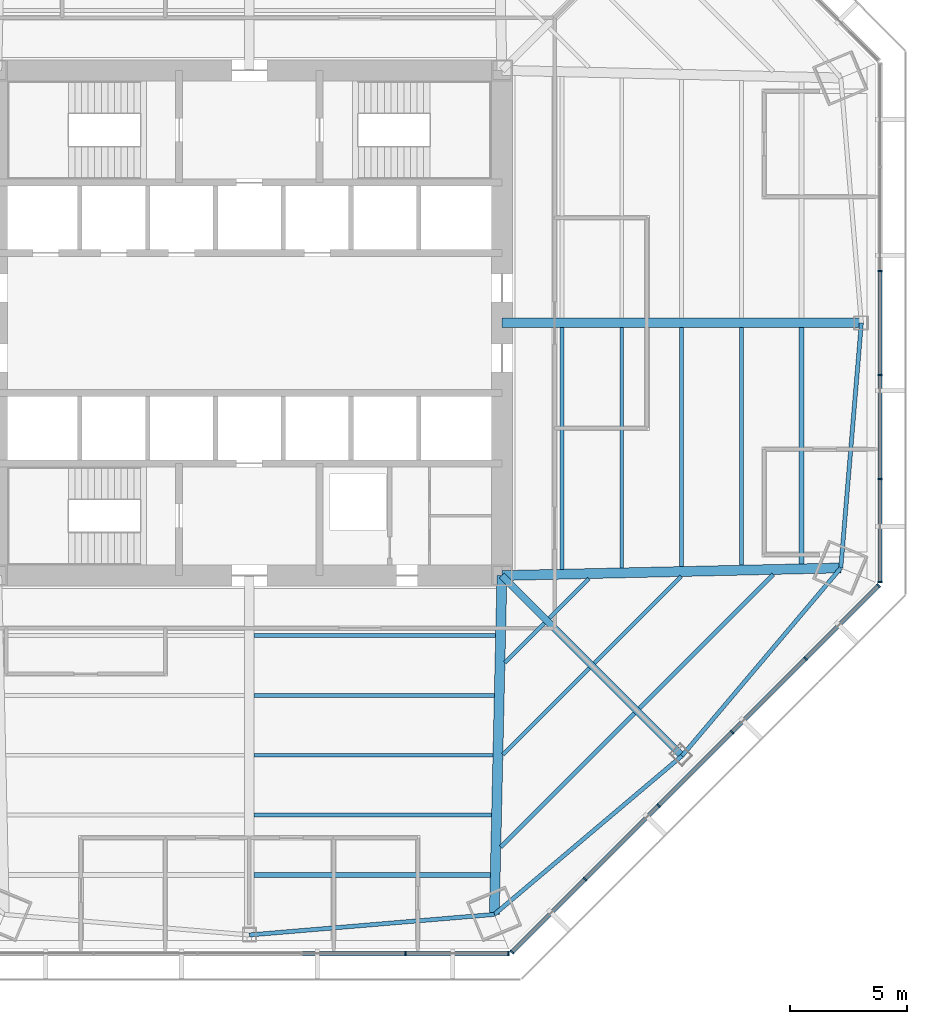
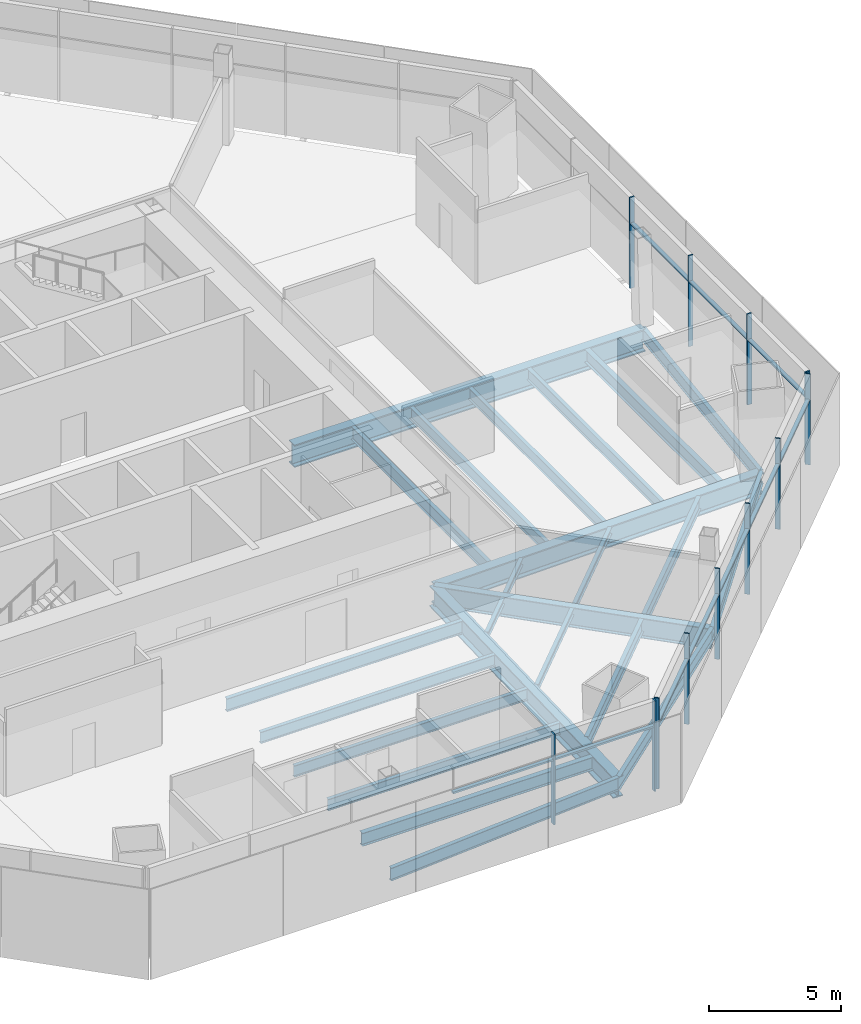
# One storey, part 4 of 15: 24 beams, 22 members, 3 elements without a shape of their own.
"""IFC4 building model written with IfcOpenShell, lengths in metres."""

from ifc_helpers import new_model, si_unit, direction, frame, origin, origin_2d, place, context, subcontext, project, spatial, rectangle, i_section, extrude, source, transform, mapped, material, material_profile, profile_set, type_object, type_shapes, element, aggregate, save


model = new_model("IFC4")

# Units and contexts
model_context = context("Model", 3, precision=1e-05, world=origin(), true_north=direction((0.0, 1.0)))
body_context = subcontext(model_context, "Body", "Model", "MODEL_VIEW")
ifc_project = project(units=[si_unit("LENGTHUNIT", "METRE"), si_unit("AREAUNIT", "SQUARE_METRE"), si_unit("VOLUMEUNIT", "CUBIC_METRE"), si_unit("PLANEANGLEUNIT", "RADIAN"), si_unit("MASSUNIT", "GRAM", prefix="KILO")], contexts=[model_context])

# Site, building, storey
site_placement = place(None, origin())
site = spatial("IfcSite", under=ifc_project, at=site_placement, CompositionType="ELEMENT")
building_placement = place(site_placement, origin())
building = spatial("IfcBuilding", under=site, at=building_placement, Name="Mashrafa Tower", CompositionType="ELEMENT")
storey_placement = place(building_placement, frame((0.0, 0.0, 37.199951171875)))
storey = spatial("IfcBuildingStorey", under=building, at=storey_placement, Name="L07", CompositionType="ELEMENT", Elevation=37.199951171875)

# Beams
ifc_material_1 = material(Name="Steel ASTM A992", Category="steel")
ifc_material_profile_1 = material_profile(ifc_material_1, i_section(OverallWidth=0.164794921875, OverallDepth=0.309814453125, WebThickness=0.005859375, FlangeThickness=0.009765625, FilletRadius=0.007568359375, at=origin_2d()), Name="W12X26")
ifc_profile_set_1 = profile_set([ifc_material_profile_1], Name="Steel ASTM A992")
beam_type_1 = type_object("IfcBeamType", Name="Beam W12X26", PredefinedType="BEAM", material=ifc_profile_set_1)
beam_1_placement = place(storey_placement, frame((12.616943359375, -12.83447265625, -0.31982421875), z_axis=(-0.707106781187, -0.707106781187, 0.0), x_axis=(0.707106781187, -0.707106781187, 0.0)))
element("IfcBeam", 1, at=beam_1_placement, inside=storey, type_object=beam_type_1, Name="Floor beam L07 046", PredefinedType="BEAM", context=body_context, shape_type="SweptSolid", body=[
    extrude(i_section(OverallWidth=0.164794921875, OverallDepth=0.309814453125, WebThickness=0.005859375, FlangeThickness=0.009765625, FilletRadius=0.007568359375, at=origin_2d()), origin(), (0.0, 0.0, 1.0), 2.387451171875),
])
beam_2_placement = place(storey_placement, frame((14.542724609375, -14.76025390625, -0.31982421875), z_axis=(-0.707106781187, -0.707106781187, 0.0), x_axis=(0.707106781187, -0.707106781187, 0.0)))
element("IfcBeam", 2, at=beam_2_placement, inside=storey, type_object=beam_type_1, Name="Floor beam L07 050", PredefinedType="BEAM", context=body_context, shape_type="SweptSolid", body=[
    extrude(i_section(OverallWidth=0.164794921875, OverallDepth=0.309814453125, WebThickness=0.005859375, FlangeThickness=0.009765625, FilletRadius=0.007568359375, at=origin_2d()), origin(), (0.0, 0.0, 1.0), 5.236083984375),
])
beam_3_placement = place(storey_placement, frame((14.522705078125, -10.9287109375, -0.31982421875), z_axis=(-0.707106781187, -0.707106781187, 0.0), x_axis=(0.707106781187, -0.707106781187, 0.0)))
element("IfcBeam", 3, at=beam_3_placement, inside=storey, type_object=beam_type_1, Name="Floor beam L07 052", PredefinedType="BEAM", context=body_context, shape_type="SweptSolid", body=[
    extrude(i_section(OverallWidth=0.164794921875, OverallDepth=0.309814453125, WebThickness=0.005859375, FlangeThickness=0.009765625, FilletRadius=0.007568359375, at=origin_2d()), origin(), (0.0, 0.0, 1.0), 2.387451171875),
])
beam_4_placement = place(storey_placement, frame((18.462646484375, -10.84033203125, -0.31982421875), z_axis=(-0.707106781187, -0.707106781187, 0.0), x_axis=(0.707106781187, -0.707106781187, 0.0)))
element("IfcBeam", 4, at=beam_4_placement, inside=storey, type_object=beam_type_1, Name="Floor beam L07 059", PredefinedType="BEAM", context=body_context, shape_type="SweptSolid", body=[
    extrude(i_section(OverallWidth=0.164794921875, OverallDepth=0.309814453125, WebThickness=0.005859375, FlangeThickness=0.009765625, FilletRadius=0.007568359375, at=origin_2d()), origin(), (0.0, 0.0, 1.0), 5.236083984375),
])
ifc_material_2 = material(Name="Steel ASTM A992", Category="steel")
ifc_material_profile_2 = material_profile(ifc_material_2, i_section(OverallWidth=0.165771484375, OverallDepth=0.5283203125, WebThickness=0.009765625, FlangeThickness=0.013671875, FilletRadius=0.012939453125, at=origin_2d()), Name="W21X50")
ifc_profile_set_2 = profile_set([ifc_material_profile_2], Name="Steel ASTM A992")
beam_type_2 = type_object("IfcBeamType", Name="Beam W21X50", PredefinedType="BEAM", material=ifc_profile_set_2)
beam_5_placement = place(storey_placement, frame((10.358154296875, -21.044677734375, -0.42919921875), z_axis=(-1.0, 0.0, 0.0), x_axis=(0.0, -1.0, 0.0)))
element("IfcBeam", 5, at=beam_5_placement, inside=storey, type_object=beam_type_2, Name="Floor beam L07 040", PredefinedType="BEAM", context=body_context, shape_type="SweptSolid", body=[
    extrude(i_section(OverallWidth=0.165771484375, OverallDepth=0.5283203125, WebThickness=0.009765625, FlangeThickness=0.013671875, FilletRadius=0.012939453125, at=origin_2d()), origin(), (0.0, 0.0, 1.0), 10.153564453125),
])
beam_6_placement = place(storey_placement, frame((10.41552734375, -18.4833984375, -0.42919921875), z_axis=(-1.0, 0.0, 0.0), x_axis=(0.0, -1.0, 0.0)))
element("IfcBeam", 6, at=beam_6_placement, inside=storey, type_object=beam_type_2, Name="Floor beam L07 042", PredefinedType="BEAM", context=body_context, shape_type="SweptSolid", body=[
    extrude(i_section(OverallWidth=0.165771484375, OverallDepth=0.5283203125, WebThickness=0.009765625, FlangeThickness=0.013671875, FilletRadius=0.012939453125, at=origin_2d()), origin(), (0.0, 0.0, 1.0), 10.2109375),
])
for number, where, z_axis, x_axis, name in (
    (7, (10.472900390625, -15.92236328125, -0.42919921875), (-1.0, 0.0, 0.0), (0.0, -1.0, 0.0), "Floor beam L07 043"),
    (8, (15.92236328125, -0.20458984375, -0.42919921875), (0.0, -1.0, 0.0), (1.0, 0.0, 0.0), "Floor beam L07 053"),
):
    element("IfcBeam", number, at=place(storey_placement, frame(where, z_axis=z_axis, x_axis=x_axis)), inside=storey, type_object=beam_type_2, Name=name, PredefinedType="BEAM", context=body_context, shape_type="SweptSolid", body=[
        extrude(i_section(OverallWidth=0.165771484375, OverallDepth=0.5283203125, WebThickness=0.009765625, FlangeThickness=0.013671875, FilletRadius=0.012939453125, at=origin_2d()), origin(), (0.0, 0.0, 1.0), 10.268310546875),
    ])
beam_7_placement = place(storey_placement, frame((18.4833984375, -0.20458984375, -0.42919921875), z_axis=(0.0, -1.0, 0.0), x_axis=(1.0, 0.0, 0.0)))
element("IfcBeam", 9, at=beam_7_placement, inside=storey, type_object=beam_type_2, Name="Floor beam L07 057", PredefinedType="BEAM", context=body_context, shape_type="SweptSolid", body=[
    extrude(i_section(OverallWidth=0.165771484375, OverallDepth=0.5283203125, WebThickness=0.009765625, FlangeThickness=0.013671875, FilletRadius=0.012939453125, at=origin_2d()), origin(), (0.0, 0.0, 1.0), 10.2109375),
])
beam_8_placement = place(storey_placement, frame((21.044677734375, -0.20458984375, -0.42919921875), z_axis=(0.0, -1.0, 0.0), x_axis=(1.0, 0.0, 0.0)))
element("IfcBeam", 10, at=beam_8_placement, inside=storey, type_object=beam_type_2, Name="Floor beam L07 060", PredefinedType="BEAM", context=body_context, shape_type="SweptSolid", body=[
    extrude(i_section(OverallWidth=0.165771484375, OverallDepth=0.5283203125, WebThickness=0.009765625, FlangeThickness=0.013671875, FilletRadius=0.012939453125, at=origin_2d()), origin(), (0.0, 0.0, 1.0), 10.153564453125),
])
ifc_material_3 = material(Name="Steel ASTM A992", Category="steel")
ifc_material_profile_3 = material_profile(ifc_material_3, i_section(OverallWidth=0.177978515625, OverallDepth=0.599365234375, WebThickness=0.010009765625, FlangeThickness=0.012939453125, FilletRadius=0.012939453125, at=origin_2d()), Name="W24X55")
ifc_profile_set_3 = profile_set([ifc_material_profile_3], Name="Steel ASTM A992")
beam_type_3 = type_object("IfcBeamType", Name="Beam W24X55", PredefinedType="BEAM", material=ifc_profile_set_3)
for number, where, z_axis, x_axis, name in (
    (11, (10.530517578125, -13.361083984375, -0.464599609375), (-1.0, 0.0, 0.0), (0.0, -1.0, 0.0), "Floor beam L07 045"),
    (12, (13.361083984375, -0.20458984375, -0.464599609375), (0.0, -1.0, 0.0), (1.0, 0.0, 0.0), "Floor beam L07 048"),
):
    element("IfcBeam", number, at=place(storey_placement, frame(where, z_axis=z_axis, x_axis=x_axis)), inside=storey, type_object=beam_type_3, Name=name, PredefinedType="BEAM", context=body_context, shape_type="SweptSolid", body=[
        extrude(i_section(OverallWidth=0.177978515625, OverallDepth=0.599365234375, WebThickness=0.010009765625, FlangeThickness=0.012939453125, FilletRadius=0.012939453125, at=origin_2d()), origin(), (0.0, 0.0, 1.0), 10.325927734375),
    ])
for number, where, z_axis, x_axis, name in (
    (13, (16.468505859375, -16.685791015625, -0.464599609375), (-0.707091681908, -0.707121880143, 0.0), (0.707121880143, -0.707091681908, 0.0), "Floor beam L07 055"),
    (14, (22.402587890625, -10.751953125, -0.464599609375), (-0.707121880143, -0.707091681908, 0.0), (0.707091681908, -0.707121880143, 0.0), "Floor beam L07 062"),
):
    element("IfcBeam", number, at=place(storey_placement, frame(where, z_axis=z_axis, x_axis=x_axis)), inside=storey, type_object=beam_type_3, Name=name, PredefinedType="BEAM", context=body_context, shape_type="SweptSolid", body=[
        extrude(i_section(OverallWidth=0.177978515625, OverallDepth=0.599365234375, WebThickness=0.010009765625, FlangeThickness=0.012939453125, FilletRadius=0.012939453125, at=origin_2d()), origin(), (0.0, 0.0, 1.0), 8.084716796875),
    ])
beam_9_placement = place(storey_placement, frame((0.0, -26.1669921875, -0.464599609375), z_axis=(0.996504309861, 0.083541369565, 0.0), x_axis=(-0.083541369565, 0.996504309861, 0.0)))
element("IfcBeam", 15, at=beam_9_placement, inside=storey, type_object=beam_type_3, Name="Spandrel beam L07 088", PredefinedType="BEAM", context=body_context, shape_type="SweptSolid", body=[
    extrude(i_section(OverallWidth=0.177978515625, OverallDepth=0.599365234375, WebThickness=0.010009765625, FlangeThickness=0.012939453125, FilletRadius=0.012939453125, at=origin_2d()), origin(), (0.0, 0.0, 1.0), 10.511962890625),
])
for number, where, z_axis, x_axis, name in (
    (16, (10.47509765625, -25.288818359375, -0.464599609375), (0.763709508366, 0.645560056719, 0.0), (-0.645560056719, 0.763709508366, 0.0), "Spandrel beam L07 090"),
    (17, (18.5029296875, -18.5029296875, -0.464599609375), (0.645560056719, 0.763709508366, 0.0), (-0.763709508366, 0.645560056719, 0.0), "Spandrel beam L07 092"),
):
    element("IfcBeam", number, at=place(storey_placement, frame(where, z_axis=z_axis, x_axis=x_axis)), inside=storey, type_object=beam_type_3, Name=name, PredefinedType="BEAM", context=body_context, shape_type="SweptSolid", body=[
        extrude(i_section(OverallWidth=0.177978515625, OverallDepth=0.599365234375, WebThickness=0.010009765625, FlangeThickness=0.012939453125, FilletRadius=0.012939453125, at=origin_2d()), origin(), (0.0, 0.0, 1.0), 10.51171875),
    ])
beam_10_placement = place(storey_placement, frame((25.288818359375, -10.47509765625, -0.464599609375), z_axis=(0.083541369565, 0.996504309861, 0.0), x_axis=(-0.996504309861, 0.083541369565, 0.0)))
element("IfcBeam", 18, at=beam_10_placement, inside=storey, type_object=beam_type_3, Name="Spandrel beam L07 094", PredefinedType="BEAM", context=body_context, shape_type="SweptSolid", body=[
    extrude(i_section(OverallWidth=0.177978515625, OverallDepth=0.599365234375, WebThickness=0.010009765625, FlangeThickness=0.012939453125, FilletRadius=0.012939453125, at=origin_2d()), origin(), (0.0, 0.0, 1.0), 10.511962890625),
])
ifc_material_4 = material(Name="Steel ASTM A992", Category="steel")
ifc_material_profile_4 = material_profile(ifc_material_4, i_section(OverallWidth=0.227783203125, OverallDepth=0.60205078125, WebThickness=0.010498046875, FlangeThickness=0.014892578125, FilletRadius=0.012939453125, at=origin_2d()), Name="W24X68")
ifc_profile_set_4 = profile_set([ifc_material_profile_4], Name="Steel ASTM A992")
beam_type_4 = type_object("IfcBeamType", Name="Beam W24X68", PredefinedType="BEAM", material=ifc_profile_set_4)
for number, where, z_axis, x_axis, name in (
    (19, (10.30078125, -23.605712890625, -0.4658203125), (-1.0, 0.0, 0.0), (0.0, -1.0, 0.0), "Floor beam L07 038"),
    (20, (23.605712890625, -0.20458984375, -0.4658203125), (0.0, -1.0, 0.0), (1.0, 0.0, 0.0), "Floor beam L07 063"),
):
    element("IfcBeam", number, at=place(storey_placement, frame(where, z_axis=z_axis, x_axis=x_axis)), inside=storey, type_object=beam_type_4, Name=name, PredefinedType="BEAM", context=body_context, shape_type="SweptSolid", body=[
        extrude(i_section(OverallWidth=0.227783203125, OverallDepth=0.60205078125, WebThickness=0.010498046875, FlangeThickness=0.014892578125, FilletRadius=0.012939453125, at=origin_2d()), origin(), (0.0, 0.0, 1.0), 10.09619140625),
    ])
ifc_material_5 = material(Name="Steel ASTM A992", Category="steel")
ifc_material_profile_5 = material_profile(ifc_material_5, i_section(OverallWidth=0.307373046875, OverallDepth=0.927001953125, WebThickness=0.01953125, FlangeThickness=0.031982421875, FilletRadius=0.01904296875, at=origin_2d()), Name="W36X194")
ifc_profile_set_5 = profile_set([ifc_material_profile_5], Name="Steel ASTM A992")
beam_type_5 = type_object("IfcBeamType", Name="Beam W36X194", PredefinedType="BEAM", material=ifc_profile_set_5)
beam_11_placement = place(storey_placement, frame((10.800048828125, -10.800048828125, -0.62841796875), z_axis=(0.707106781187, -0.707106781187, 0.0), x_axis=(0.707106781187, 0.707106781187, 0.0)))
element("IfcBeam", 21, at=beam_11_placement, inside=storey, type_object=beam_type_5, Name="Radial girder L07 075", PredefinedType="BEAM", context=body_context, shape_type="SweptSolid", body=[
    extrude(i_section(OverallWidth=0.307373046875, OverallDepth=0.927001953125, WebThickness=0.01953125, FlangeThickness=0.031982421875, FilletRadius=0.01904296875, at=origin_2d()), origin(), (0.0, 0.0, 1.0), 10.8935546875),
])
ifc_material_6 = material(Name="Steel ASTM A992", Category="steel")
ifc_material_profile_6 = material_profile(ifc_material_6, i_section(OverallWidth=0.424072265625, OverallDepth=0.960205078125, WebThickness=0.028564453125, FlangeThickness=0.051025390625, FilletRadius=0.02001953125, at=origin_2d()), Name="W36X361")
ifc_profile_set_6 = profile_set([ifc_material_profile_6], Name="Steel ASTM A992")
beam_type_6 = type_object("IfcBeamType", Name="Beam W36X361", PredefinedType="BEAM", material=ifc_profile_set_6)
for number, where, z_axis, x_axis, name in (
    (22, (10.800048828125, -10.800048828125, -0.64501953125), (-0.022422157782, -0.999748591817, 0.0), (0.999748591817, -0.022422157782, 0.0), "Radial girder L07 074"),
    (23, (10.800048828125, -10.800048828125, -0.64501953125), (0.999748591817, 0.022422157782, 0.0), (-0.022422157782, 0.999748591817, 0.0), "Radial girder L07 076"),
):
    element("IfcBeam", number, at=place(storey_placement, frame(where, z_axis=z_axis, x_axis=x_axis)), inside=storey, type_object=beam_type_6, Name=name, PredefinedType="BEAM", context=body_context, shape_type="SweptSolid", body=[
        extrude(i_section(OverallWidth=0.424072265625, OverallDepth=0.960205078125, WebThickness=0.028564453125, FlangeThickness=0.051025390625, FilletRadius=0.02001953125, at=origin_2d()), origin(), (0.0, 0.0, 1.0), 14.492431640625),
    ])
ifc_material_7 = material(Name="Steel ASTM A992", Category="steel")
ifc_material_profile_7 = material_profile(ifc_material_7, i_section(OverallWidth=0.408935546875, OverallDepth=1.04150390625, WebThickness=0.031005859375, FlangeThickness=0.055908203125, FilletRadius=0.020263671875, at=origin_2d()), Name="W40X397")
ifc_profile_set_7 = profile_set([ifc_material_profile_7], Name="Steel ASTM A992")
beam_type_7 = type_object("IfcBeamType", Name="Beam W40X397", PredefinedType="BEAM", material=ifc_profile_set_7)
beam_12_placement = place(storey_placement, frame((10.800048828125, 0.0, -0.685546875), z_axis=(1.0, 0.0, 0.0), x_axis=(0.0, 1.0, 0.0)))
element("IfcBeam", 24, at=beam_12_placement, inside=storey, type_object=beam_type_7, Name="Radial girder L07 077", PredefinedType="BEAM", context=body_context, shape_type="SweptSolid", body=[
    extrude(i_section(OverallWidth=0.408935546875, OverallDepth=1.04150390625, WebThickness=0.031005859375, FlangeThickness=0.055908203125, FilletRadius=0.020263671875, at=origin_2d()), origin(), (0.0, 0.0, 1.0), 15.366943359375),
])

# Curtain wall, members
ifc_material_8 = material(Name="Unitised aluminium curtain wall", Category="aluminium")
curtain_wall_type = type_object("IfcCurtainWallType", Name="Office curtain wall, zone 1 CW-A 200 deep", PredefinedType="NOTDEFINED", material=ifc_material_8)
curtain_wall_1_placement = place(storey_placement, origin())
curtain_wall_1 = element("IfcCurtainWall", 25, at=curtain_wall_1_placement, inside=storey, type_object=curtain_wall_type, Name="Office curtain wall, zone 1 L07 east", PredefinedType="NOTDEFINED")
ifc_material_9 = material(Name="Extruded aluminium mullion", Category="aluminium")
ifc_material_profile_8 = material_profile(ifc_material_9, rectangle(XDim=0.199951171875, YDim=0.06494140625, at=origin_2d()), Name="Mullion 65x200")
ifc_profile_set_8 = profile_set([ifc_material_profile_8], Name="Extruded aluminium mullion")
member_type_1 = type_object("IfcMemberType", Name="Mullion CW-A 65 x 200", PredefinedType="MULLION", material=ifc_profile_set_8)
shared_shape_1 = source(origin(), body_context, "Body", "SweptSolid", [
    extrude(rectangle(XDim=0.199951171875, YDim=0.06494140625, at=origin_2d()), origin(), (0.0, 0.0, 1.0), 4.199951171875),
])
type_shapes(member_type_1, [shared_shape_1])
member_1_placement = place(storey_placement, frame((26.96240234375, -11.084228515625, 0.0), z_axis=(0.0, 0.0, 1.0), x_axis=(-1.0, 0.0, 0.0)))
member_1 = element("IfcMember", 26, at=member_1_placement, type_object=member_type_1, Name="CW-A mullion 1", PredefinedType="MULLION", context=body_context, shape_type="MappedRepresentation", body=[
    mapped(shared_shape_1, transform((0.0, 0.0, 0.0))),
])
member_2_placement = place(storey_placement, frame((26.96240234375, -6.670166015625, 0.0), z_axis=(0.0, 0.0, 1.0), x_axis=(-1.0, 0.0, 0.0)))
member_2 = element("IfcMember", 27, at=member_2_placement, type_object=member_type_1, Name="CW-A mullion 2", PredefinedType="MULLION", context=body_context, shape_type="MappedRepresentation", body=[
    mapped(shared_shape_1, transform((0.0, 0.0, 0.0))),
])
member_3_placement = place(storey_placement, frame((26.96240234375, -2.223388671875, 0.0), z_axis=(0.0, 0.0, 1.0), x_axis=(-1.0, 0.0, 0.0)))
member_3 = element("IfcMember", 28, at=member_3_placement, type_object=member_type_1, Name="CW-A mullion 3", PredefinedType="MULLION", context=body_context, shape_type="MappedRepresentation", body=[
    mapped(shared_shape_1, transform((0.0, 0.0, 0.0))),
])
member_4_placement = place(storey_placement, frame((26.96240234375, 2.223388671875, 0.0), z_axis=(0.0, 0.0, 1.0), x_axis=(-1.0, 0.0, 0.0)))
member_4 = element("IfcMember", 29, at=member_4_placement, type_object=member_type_1, Name="CW-A mullion 4", PredefinedType="MULLION", context=body_context, shape_type="MappedRepresentation", body=[
    mapped(shared_shape_1, transform((0.0, 0.0, 0.0))),
])

curtain_wall_2_placement = place(storey_placement, origin())
curtain_wall_2 = element("IfcCurtainWall", 30, at=curtain_wall_2_placement, inside=storey, type_object=curtain_wall_type, Name="Office curtain wall, zone 1 L07 south", PredefinedType="NOTDEFINED")
member_5_placement = place(storey_placement, frame((6.670166015625, -26.96240234375, 0.0), z_axis=(0.0, 0.0, 1.0), x_axis=(0.0, 1.0, 0.0)))
member_5 = element("IfcMember", 31, at=member_5_placement, type_object=member_type_1, Name="CW-A mullion 5", PredefinedType="MULLION", context=body_context, shape_type="MappedRepresentation", body=[
    mapped(shared_shape_1, transform((0.0, 0.0, 0.0))),
])
member_6_placement = place(storey_placement, frame((11.084228515625, -26.96240234375, 0.0), z_axis=(0.0, 0.0, 1.0), x_axis=(0.0, 1.0, 0.0)))
member_6 = element("IfcMember", 32, at=member_6_placement, type_object=member_type_1, Name="CW-A mullion 6", PredefinedType="MULLION", context=body_context, shape_type="MappedRepresentation", body=[
    mapped(shared_shape_1, transform((0.0, 0.0, 0.0))),
])

curtain_wall_3_placement = place(storey_placement, origin())
curtain_wall_3 = element("IfcCurtainWall", 33, at=curtain_wall_3_placement, inside=storey, type_object=curtain_wall_type, Name="Office curtain wall, zone 1 L07 south-east", PredefinedType="NOTDEFINED")
member_7_placement = place(storey_placement, frame((11.2275390625, -26.903076171875, 0.0), z_axis=(0.0, 0.0, 1.0), x_axis=(-0.707106781187, 0.707106781187, 0.0)))
member_7 = element("IfcMember", 34, at=member_7_placement, type_object=member_type_1, Name="CW-A mullion 1", PredefinedType="MULLION", context=body_context, shape_type="MappedRepresentation", body=[
    mapped(shared_shape_1, transform((0.0, 0.0, 0.0))),
])
member_8_placement = place(storey_placement, frame((14.348876953125, -23.78173828125, 0.0), z_axis=(0.0, 0.0, 1.0), x_axis=(-0.707106781187, 0.707106781187, 0.0)))
member_8 = element("IfcMember", 35, at=member_8_placement, type_object=member_type_1, Name="CW-A mullion 2", PredefinedType="MULLION", context=body_context, shape_type="MappedRepresentation", body=[
    mapped(shared_shape_1, transform((0.0, 0.0, 0.0))),
])
member_9_placement = place(storey_placement, frame((17.4931640625, -20.637451171875, 0.0), z_axis=(0.0, 0.0, 1.0), x_axis=(-0.707106781187, 0.707106781187, 0.0)))
member_9 = element("IfcMember", 36, at=member_9_placement, type_object=member_type_1, Name="CW-A mullion 3", PredefinedType="MULLION", context=body_context, shape_type="MappedRepresentation", body=[
    mapped(shared_shape_1, transform((0.0, 0.0, 0.0))),
])
member_10_placement = place(storey_placement, frame((20.637451171875, -17.4931640625, 0.0), z_axis=(0.0, 0.0, 1.0), x_axis=(-0.707106781187, 0.707106781187, 0.0)))
member_10 = element("IfcMember", 37, at=member_10_placement, type_object=member_type_1, Name="CW-A mullion 4", PredefinedType="MULLION", context=body_context, shape_type="MappedRepresentation", body=[
    mapped(shared_shape_1, transform((0.0, 0.0, 0.0))),
])
member_11_placement = place(storey_placement, frame((23.78173828125, -14.348876953125, 0.0), z_axis=(0.0, 0.0, 1.0), x_axis=(-0.707106781187, 0.707106781187, 0.0)))
member_11 = element("IfcMember", 38, at=member_11_placement, type_object=member_type_1, Name="CW-A mullion 5", PredefinedType="MULLION", context=body_context, shape_type="MappedRepresentation", body=[
    mapped(shared_shape_1, transform((0.0, 0.0, 0.0))),
])
member_12_placement = place(storey_placement, frame((26.903076171875, -11.2275390625, 0.0), z_axis=(0.0, 0.0, 1.0), x_axis=(-0.707106781187, 0.707106781187, 0.0)))
member_12 = element("IfcMember", 39, at=member_12_placement, type_object=member_type_1, Name="CW-A mullion 6", PredefinedType="MULLION", context=body_context, shape_type="MappedRepresentation", body=[
    mapped(shared_shape_1, transform((0.0, 0.0, 0.0))),
])

# Member
ifc_material_10 = material(Name="Extruded aluminium transom", Category="aluminium")
ifc_material_profile_9 = material_profile(ifc_material_10, rectangle(XDim=0.159912109375, YDim=0.080078125, at=origin_2d()), Name="Transom 80x160")
ifc_profile_set_9 = profile_set([ifc_material_profile_9], Name="Extruded aluminium transom")
member_type_2 = type_object("IfcMemberType", Name="Transom CW-A 80 x 160", PredefinedType="MULLION", material=ifc_profile_set_9)
shared_shape_2 = source(origin(), body_context, "Body", "SweptSolid", [
    extrude(rectangle(XDim=0.159912109375, YDim=0.080078125, at=origin_2d()), origin(), (0.0, 0.0, 1.0), 4.34912109375),
])
member_13_placement = place(storey_placement, frame((26.96240234375, -11.0517578125, 3.0), z_axis=(0.0, 1.0, 0.0), x_axis=(-1.0, 0.0, 0.0)))
member_13 = element("IfcMember", 40, at=member_13_placement, type_object=member_type_2, Name="CW-A transom 1", PredefinedType="MULLION", context=body_context, shape_type="MappedRepresentation", body=[
    mapped(shared_shape_2, transform((0.0, 0.0, 0.0))),
])

member_14_placement = place(storey_placement, frame((6.70263671875, -26.96240234375, 3.0), z_axis=(1.0, 0.0, 0.0), x_axis=(0.0, 1.0, 0.0)))
member_14 = element("IfcMember", 41, at=member_14_placement, type_object=member_type_2, Name="CW-A transom 5", PredefinedType="MULLION", context=body_context, shape_type="MappedRepresentation", body=[
    mapped(shared_shape_2, transform((0.0, 0.0, 0.0))),
])

shared_shape_3 = source(origin(), body_context, "Body", "SweptSolid", [
    extrude(rectangle(XDim=0.159912109375, YDim=0.080078125, at=origin_2d()), origin(), (0.0, 0.0, 1.0), 4.381591796875),
])
member_15_placement = place(storey_placement, frame((26.96240234375, -6.637451171875, 3.0), z_axis=(0.0, 1.0, 0.0), x_axis=(-1.0, 0.0, 0.0)))
member_15 = element("IfcMember", 42, at=member_15_placement, type_object=member_type_2, Name="CW-A transom 2", PredefinedType="MULLION", context=body_context, shape_type="MappedRepresentation", body=[
    mapped(shared_shape_3, transform((0.0, 0.0, 0.0))),
])

member_16_placement = place(storey_placement, frame((2.255859375, -26.96240234375, 3.0), z_axis=(1.0, 0.0, 0.0), x_axis=(0.0, 1.0, 0.0)))
member_16 = element("IfcMember", 43, at=member_16_placement, type_object=member_type_2, Name="CW-A transom 4", PredefinedType="MULLION", context=body_context, shape_type="MappedRepresentation", body=[
    mapped(shared_shape_3, transform((0.0, 0.0, 0.0))),
])

aggregate(curtain_wall_2, [member_5, member_6, member_16, member_14])

shared_shape_4 = source(origin(), body_context, "Body", "SweptSolid", [
    extrude(rectangle(XDim=0.159912109375, YDim=0.080078125, at=origin_2d()), origin(), (0.0, 0.0, 1.0), 4.3818359375),
])
member_17_placement = place(storey_placement, frame((26.96240234375, -2.19091796875, 3.0), z_axis=(0.0, 1.0, 0.0), x_axis=(-1.0, 0.0, 0.0)))
member_17 = element("IfcMember", 44, at=member_17_placement, type_object=member_type_2, Name="CW-A transom 3", PredefinedType="MULLION", context=body_context, shape_type="MappedRepresentation", body=[
    mapped(shared_shape_4, transform((0.0, 0.0, 0.0))),
])

aggregate(curtain_wall_1, [member_1, member_2, member_3, member_4, member_13, member_15, member_17])

member_18_placement = place(storey_placement, frame((14.371826171875, -23.7587890625, 3.0), z_axis=(0.707106781187, 0.707106781187, 0.0), x_axis=(-0.707106781187, 0.707106781187, 0.0)))
member_18 = element("IfcMember", 45, at=member_18_placement, type_object=member_type_2, Name="CW-A transom 2", PredefinedType="MULLION", context=body_context, shape_type="MappedRepresentation", body=[
    mapped(shared_shape_4, transform((0.0, 0.0, 0.0))),
])

member_19_placement = place(storey_placement, frame((17.51611328125, -20.614501953125, 3.0), z_axis=(0.707106781187, 0.707106781187, 0.0), x_axis=(-0.707106781187, 0.707106781187, 0.0)))
member_19 = element("IfcMember", 46, at=member_19_placement, type_object=member_type_2, Name="CW-A transom 3", PredefinedType="MULLION", context=body_context, shape_type="MappedRepresentation", body=[
    mapped(shared_shape_4, transform((0.0, 0.0, 0.0))),
])

member_20_placement = place(storey_placement, frame((20.660400390625, -17.47021484375, 3.0), z_axis=(0.707106781187, 0.707106781187, 0.0), x_axis=(-0.707106781187, 0.707106781187, 0.0)))
member_20 = element("IfcMember", 47, at=member_20_placement, type_object=member_type_2, Name="CW-A transom 4", PredefinedType="MULLION", context=body_context, shape_type="MappedRepresentation", body=[
    mapped(shared_shape_4, transform((0.0, 0.0, 0.0))),
])

shared_shape_5 = source(origin(), body_context, "Body", "SweptSolid", [
    extrude(rectangle(XDim=0.159912109375, YDim=0.080078125, at=origin_2d()), origin(), (0.0, 0.0, 1.0), 4.349365234375),
])
type_shapes(member_type_2, [shared_shape_2, shared_shape_3, shared_shape_4, shared_shape_5])
member_21_placement = place(storey_placement, frame((11.25048828125, -26.880126953125, 3.0), z_axis=(0.707106781187, 0.707106781187, 0.0), x_axis=(-0.707106781187, 0.707106781187, 0.0)))
member_21 = element("IfcMember", 48, at=member_21_placement, type_object=member_type_2, Name="CW-A transom 1", PredefinedType="MULLION", context=body_context, shape_type="MappedRepresentation", body=[
    mapped(shared_shape_5, transform((0.0, 0.0, 0.0))),
])

member_22_placement = place(storey_placement, frame((23.8046875, -14.325927734375, 3.0), z_axis=(0.707106781187, 0.707106781187, 0.0), x_axis=(-0.707106781187, 0.707106781187, 0.0)))
member_22 = element("IfcMember", 49, at=member_22_placement, type_object=member_type_2, Name="CW-A transom 5", PredefinedType="MULLION", context=body_context, shape_type="MappedRepresentation", body=[
    mapped(shared_shape_5, transform((0.0, 0.0, 0.0))),
])

aggregate(curtain_wall_3, [member_7, member_8, member_9, member_10, member_11, member_12, member_21, member_18, member_19, member_20, member_22])

save(model, "model.ifc")
